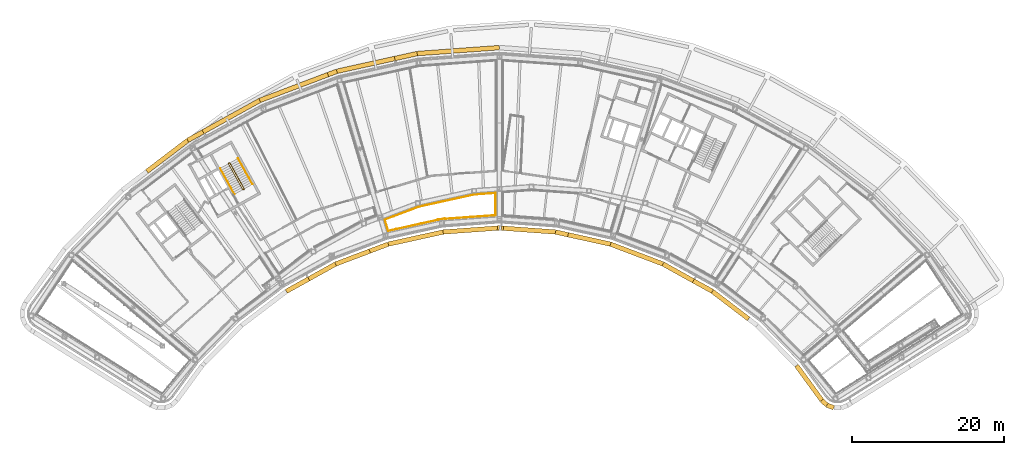
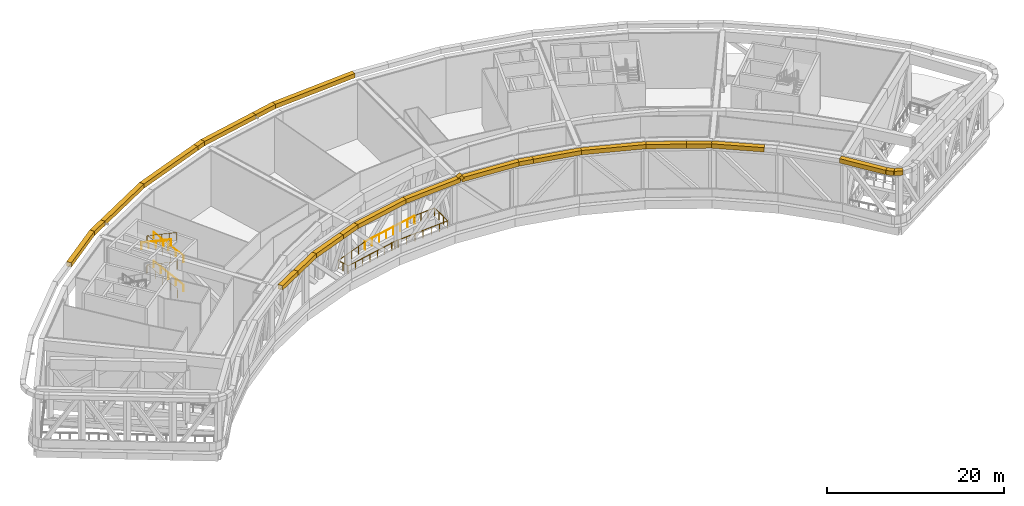
# One storey, part 21 of 24: 25 coverings, 9 railings.
"""IFC4 building model written with IfcOpenShell, lengths in metres."""

from ifc_helpers import new_model, si_unit, direction, frame, origin, origin_2d, place, context, subcontext, project, spatial, rectangle, circle, extrude, material, material_profile, profile_set, type_object, element, save


model = new_model("IFC4")

# Units and contexts
model_context = context("Model", 3, precision=1e-05, world=origin(), true_north=direction((0.0, 1.0)))
body_context = subcontext(model_context, "Body", "Model", "MODEL_VIEW")
ifc_project = project(units=[si_unit("LENGTHUNIT", "METRE"), si_unit("AREAUNIT", "SQUARE_METRE"), si_unit("VOLUMEUNIT", "CUBIC_METRE"), si_unit("PLANEANGLEUNIT", "RADIAN"), si_unit("MASSUNIT", "GRAM", prefix="KILO")], contexts=[model_context])

# Site, building, storey
site_placement = place(None, origin())
site = spatial("IfcSite", under=ifc_project, at=site_placement, CompositionType="ELEMENT")
building_placement = place(site_placement, origin())
building = spatial("IfcBuilding", under=site, at=building_placement, Name="Tuul Gate Civic Tower", CompositionType="ELEMENT")
storey_placement = place(building_placement, frame((0.0, 0.0, 277.800048828125)))
storey = spatial("IfcBuildingStorey", under=building, at=storey_placement, Name="Wind floor 2", CompositionType="ELEMENT", Elevation=277.800048828125)

# Railings
ifc_material_1 = material(Name="Painted steel", Category="steel")
railing_type_1 = type_object("IfcRailingType", Name="Slot guard", PredefinedType="GUARDRAIL", material=ifc_material_1)
railing_1_placement = place(storey_placement, frame((3.53125, -8.926025390625, 0.0)))
element("IfcRailing", 1, at=railing_1_placement, inside=storey, type_object=railing_type_1, Name="Guard", PredefinedType="GUARDRAIL", context=body_context, shape_type="SweptSolid", body=[
    extrude(circle(Radius=0.02392578125, at=origin_2d()), frame((0.0, 0.0, 1.076171875), z_axis=(-0.976563730298, -0.215228438332, 0.0), x_axis=(0.215228438332, -0.976563730298, 0.0)), (0.0, 0.0, 1.0), 7.51953125),
    extrude(circle(Radius=0.02099609375, at=origin_2d()), origin(), (0.0, 0.0, 1.0), 1.052001953125),
    extrude(circle(Radius=0.02099609375, at=origin_2d()), frame((-1.049072265625, -0.231201171875, 0.0)), (0.0, 0.0, 1.0), 1.052001953125),
    extrude(circle(Radius=0.02099609375, at=origin_2d()), frame((-2.09814453125, -0.46240234375, 0.0)), (0.0, 0.0, 1.0), 1.052001953125),
    extrude(circle(Radius=0.02099609375, at=origin_2d()), frame((-3.147216796875, -0.693603515625, 0.0)), (0.0, 0.0, 1.0), 1.052001953125),
    extrude(circle(Radius=0.02099609375, at=origin_2d()), frame((-4.196044921875, -0.9248046875, 0.0)), (0.0, 0.0, 1.0), 1.052001953125),
    extrude(circle(Radius=0.02099609375, at=origin_2d()), frame((-5.2451171875, -1.156005859375, 0.0)), (0.0, 0.0, 1.0), 1.052001953125),
    extrude(circle(Radius=0.02099609375, at=origin_2d()), frame((-6.294189453125, -1.38720703125, 0.0)), (0.0, 0.0, 1.0), 1.052001953125),
    extrude(circle(Radius=0.02099609375, at=origin_2d()), frame((-7.34326171875, -1.618408203125, 0.0)), (0.0, 0.0, 1.0), 1.052001953125),
])
railing_2_placement = place(storey_placement, frame((-3.81201171875, -10.54443359375, 0.0)))
element("IfcRailing", 2, at=railing_2_placement, inside=storey, type_object=railing_type_1, Name="Guard", PredefinedType="GUARDRAIL", context=body_context, shape_type="SweptSolid", body=[
    extrude(circle(Radius=0.02392578125, at=origin_2d()), frame((0.0, 0.0, 1.076171875), z_axis=(-0.935368315909, -0.353675152639, 0.0), x_axis=(0.353675152639, -0.935368315909, 0.0)), (0.0, 0.0, 1.0), 4.789306640625),
    extrude(circle(Radius=0.02392578125, at=origin_2d()), frame((-4.479736328125, -1.69384765625, 1.076171875), z_axis=(0.285186169519, -0.9584721429, 0.0), x_axis=(0.9584721429, 0.285186169519, 0.0)), (0.0, 0.0, 1.0), 1.54443359375),
    extrude(circle(Radius=0.02099609375, at=origin_2d()), origin(), (0.0, 0.0, 1.0), 1.052001953125),
    extrude(circle(Radius=0.02099609375, at=origin_2d()), frame((-1.119873046875, -0.42333984375, 0.0)), (0.0, 0.0, 1.0), 1.052001953125),
    extrude(circle(Radius=0.02099609375, at=origin_2d()), frame((-2.23974609375, -0.846923828125, 0.0)), (0.0, 0.0, 1.0), 1.052001953125),
    extrude(circle(Radius=0.02099609375, at=origin_2d()), frame((-3.35986328125, -1.2705078125, 0.0)), (0.0, 0.0, 1.0), 1.052001953125),
    extrude(circle(Radius=0.02099609375, at=origin_2d()), frame((-4.479736328125, -1.69384765625, 0.0)), (0.0, 0.0, 1.0), 1.052001953125),
    extrude(circle(Radius=0.02099609375, at=origin_2d()), frame((-4.259521484375, -2.43408203125, 0.0)), (0.0, 0.0, 1.0), 1.052001953125),
    extrude(circle(Radius=0.02099609375, at=origin_2d()), frame((-4.039306640625, -3.174072265625, 0.0)), (0.0, 0.0, 1.0), 1.052001953125),
])
railing_3_placement = place(storey_placement, frame((-7.851318359375, -13.718505859375, 0.0)))
element("IfcRailing", 3, at=railing_3_placement, inside=storey, type_object=railing_type_1, Name="Guard", PredefinedType="GUARDRAIL", context=body_context, shape_type="SweptSolid", body=[
    extrude(circle(Radius=0.02392578125, at=origin_2d()), frame((0.0, 0.0, 1.076171875), z_axis=(0.976567414071, 0.215211723137, 0.0), x_axis=(-0.215211723137, 0.976567414071, 0.0)), (0.0, 0.0, 1.0), 6.6943359375),
    extrude(circle(Radius=0.02392578125, at=origin_2d()), frame((6.537353515625, 1.440673828125, 1.076171875), z_axis=(-0.072274260578, 0.997384795983, 0.0), x_axis=(-0.997384795983, -0.072274260578, 0.0)), (0.0, 0.0, 1.0), 0.067626953125),
    extrude(circle(Radius=0.02392578125, at=origin_2d()), frame((6.532470703125, 1.508056640625, 1.076171875), z_axis=(0.997396879043, 0.072107320543, 0.0), x_axis=(-0.072107320543, 0.997396879043, 0.0)), (0.0, 0.0, 1.0), 0.4638671875),
    extrude(circle(Radius=0.02392578125, at=origin_2d()), frame((6.9951171875, 1.54150390625, 1.076171875), z_axis=(0.97654493923, 0.215313682019, 0.0), x_axis=(-0.215313682019, 0.97654493923, 0.0)), (0.0, 0.0, 1.0), 0.4638671875),
    extrude(circle(Radius=0.02392578125, at=origin_2d()), frame((7.447998046875, 1.641357421875, 1.076171875), z_axis=(0.213481055631, -0.976947203736, 0.0), x_axis=(0.976947203736, 0.213481055631, 0.0)), (0.0, 0.0, 1.0), 0.0673828125),
    extrude(circle(Radius=0.02099609375, at=origin_2d()), origin(), (0.0, 0.0, 1.0), 1.052001953125),
    extrude(circle(Radius=0.02099609375, at=origin_2d()), frame((1.089599609375, 0.240234375, 0.0)), (0.0, 0.0, 1.0), 1.052001953125),
    extrude(circle(Radius=0.02099609375, at=origin_2d()), frame((2.17919921875, 0.480224609375, 0.0)), (0.0, 0.0, 1.0), 1.052001953125),
    extrude(circle(Radius=0.02099609375, at=origin_2d()), frame((3.2685546875, 0.72021484375, 0.0)), (0.0, 0.0, 1.0), 1.052001953125),
    extrude(circle(Radius=0.02099609375, at=origin_2d()), frame((4.358154296875, 0.96044921875, 0.0)), (0.0, 0.0, 1.0), 1.052001953125),
    extrude(circle(Radius=0.02099609375, at=origin_2d()), frame((5.44775390625, 1.20068359375, 0.0)), (0.0, 0.0, 1.0), 1.052001953125),
    extrude(circle(Radius=0.02099609375, at=origin_2d()), frame((6.537353515625, 1.440673828125, 0.0)), (0.0, 0.0, 1.0), 1.052001953125),
    extrude(circle(Radius=0.02099609375, at=origin_2d()), frame((6.532470703125, 1.508056640625, 0.0)), (0.0, 0.0, 1.0), 1.052001953125),
    extrude(circle(Radius=0.02099609375, at=origin_2d()), frame((6.9951171875, 1.54150390625, 0.0)), (0.0, 0.0, 1.0), 1.052001953125),
    extrude(circle(Radius=0.02099609375, at=origin_2d()), frame((7.447998046875, 1.641357421875, 0.0)), (0.0, 0.0, 1.0), 1.052001953125),
    extrude(circle(Radius=0.02099609375, at=origin_2d()), frame((7.46240234375, 1.575439453125, 0.0)), (0.0, 0.0, 1.0), 1.052001953125),
])
railing_4_placement = place(storey_placement, frame((-0.388916015625, -12.14306640625, 0.0)))
element("IfcRailing", 4, at=railing_4_placement, inside=storey, type_object=railing_type_1, Name="Guard", PredefinedType="GUARDRAIL", context=body_context, shape_type="SweptSolid", body=[
    extrude(circle(Radius=0.02392578125, at=origin_2d()), frame((0.0, 0.0, 1.076171875), z_axis=(0.997381670907, 0.072317373703, 0.0), x_axis=(-0.072317373703, 0.997381670907, 0.0)), (0.0, 0.0, 1.0), 6.694580078125),
    extrude(circle(Radius=0.02392578125, at=origin_2d()), frame((6.677001953125, 0.484130859375, 1.076171875), z_axis=(0.0, 1.0, 0.0), x_axis=(-1.0, 0.0, 0.0)), (0.0, 0.0, 1.0), 2.932373046875),
    extrude(circle(Radius=0.02099609375, at=origin_2d()), origin(), (0.0, 0.0, 1.0), 1.052001953125),
    extrude(circle(Radius=0.02099609375, at=origin_2d()), frame((1.11279296875, 0.08056640625, 0.0)), (0.0, 0.0, 1.0), 1.052001953125),
    extrude(circle(Radius=0.02099609375, at=origin_2d()), frame((2.2255859375, 0.161376953125, 0.0)), (0.0, 0.0, 1.0), 1.052001953125),
    extrude(circle(Radius=0.02099609375, at=origin_2d()), frame((3.33837890625, 0.2421875, 0.0)), (0.0, 0.0, 1.0), 1.052001953125),
    extrude(circle(Radius=0.02099609375, at=origin_2d()), frame((4.451416015625, 0.32275390625, 0.0)), (0.0, 0.0, 1.0), 1.052001953125),
    extrude(circle(Radius=0.02099609375, at=origin_2d()), frame((5.564208984375, 0.4033203125, 0.0)), (0.0, 0.0, 1.0), 1.052001953125),
    extrude(circle(Radius=0.02099609375, at=origin_2d()), frame((6.677001953125, 0.484130859375, 0.0)), (0.0, 0.0, 1.0), 1.052001953125),
    extrude(circle(Radius=0.02099609375, at=origin_2d()), frame((6.677001953125, 1.461669921875, 0.0)), (0.0, 0.0, 1.0), 1.052001953125),
    extrude(circle(Radius=0.02099609375, at=origin_2d()), frame((6.677001953125, 2.43896484375, 0.0)), (0.0, 0.0, 1.0), 1.052001953125),
    extrude(circle(Radius=0.02099609375, at=origin_2d()), frame((6.677001953125, 3.41650390625, 0.0)), (0.0, 0.0, 1.0), 1.052001953125),
])
railing_5_placement = place(storey_placement, frame((6.2880859375, -8.7265625, 0.0)))
element("IfcRailing", 5, at=railing_5_placement, inside=storey, type_object=railing_type_1, Name="Guard", PredefinedType="GUARDRAIL", context=body_context, shape_type="SweptSolid", body=[
    extrude(circle(Radius=0.02392578125, at=origin_2d()), frame((0.0, 0.0, 1.076171875), z_axis=(-0.997392817914, -0.072163472568, 0.0), x_axis=(0.072163472568, -0.997392817914, 0.0)), (0.0, 0.0, 1.0), 2.76416015625),
    extrude(circle(Radius=0.02099609375, at=origin_2d()), origin(), (0.0, 0.0, 1.0), 1.052001953125),
    extrude(circle(Radius=0.02099609375, at=origin_2d()), frame((-0.9189453125, -0.06640625, 0.0)), (0.0, 0.0, 1.0), 1.052001953125),
    extrude(circle(Radius=0.02099609375, at=origin_2d()), frame((-1.837890625, -0.133056640625, 0.0)), (0.0, 0.0, 1.0), 1.052001953125),
    extrude(circle(Radius=0.02099609375, at=origin_2d()), frame((-2.7568359375, -0.199462890625, 0.0)), (0.0, 0.0, 1.0), 1.052001953125),
])
ifc_material_2 = material(Name="Painted steel", Category="steel")
railing_type_2 = type_object("IfcRailingType", Name="Stair guard", PredefinedType="GUARDRAIL", material=ifc_material_2)
railing_6_placement = place(storey_placement, frame((-26.857666015625, -8.247314453125, 0.0)))
element("IfcRailing", 6, at=railing_6_placement, inside=storey, type_object=railing_type_2, Name="Wind floor 2 ST-2 stair guard 1", PredefinedType="GUARDRAIL", context=body_context, shape_type="SweptSolid", body=[
    extrude(circle(Radius=0.02392578125, at=origin_2d()), frame((0.0, 0.0, 1.076171875), z_axis=(-0.874616555828, -0.48481530532, 0.0), x_axis=(0.48481530532, -0.874616555828, 0.0)), (0.0, 0.0, 1.0), 0.10009765625),
    extrude(circle(Radius=0.02392578125, at=origin_2d()), frame((-0.087646484375, -0.048583984375, 1.076171875), z_axis=(0.501893086122, 0.54658219653, 0.670336656121), x_axis=(-0.736576986774, 0.676353711126, 0.0)), (0.0, 0.0, 1.0), 0.213134765625),
    extrude(circle(Radius=0.02392578125, at=origin_2d()), frame((0.019287109375, 0.06787109375, 1.21875), z_axis=(-0.437634173363, 0.789697103219, 0.429947456641), x_axis=(-0.874667644053, -0.484723129681, 0.0)), (0.0, 0.0, 1.0), 4.319580078125),
    extrude(circle(Radius=0.02392578125, at=origin_2d()), frame((-1.87109375, 3.47900390625, 3.076171875), z_axis=(-0.961263487578, 0.275631107549, 0.0), x_axis=(-0.275631107549, -0.961263487578, 0.0)), (0.0, 0.0, 1.0), 0.07080078125),
    extrude(circle(Radius=0.02392578125, at=origin_2d()), frame((-1.939208984375, 3.49853515625, 3.076171875), z_axis=(-0.874042088414, -0.485850211157, 0.0), x_axis=(0.485850211157, -0.874042088414, 0.0)), (0.0, 0.0, 1.0), 0.10009765625),
    extrude(circle(Radius=0.02392578125, at=origin_2d()), frame((-2.026611328125, 3.449951171875, 3.076171875), z_axis=(-0.122583376132, -0.425977232058, 0.896390937964), x_axis=(0.961000426733, -0.276546885391, 0.0)), (0.0, 0.0, 1.0), 0.159423828125),
    extrude(circle(Radius=0.02392578125, at=origin_2d()), frame((-2.046142578125, 3.382080078125, 3.21875), z_axis=(0.43767986673, -0.789677569467, 0.429936821567), x_axis=(0.874641102302, 0.484771020343, 0.0)), (0.0, 0.0, 1.0), 4.319580078125),
    extrude(circle(Radius=0.02392578125, at=origin_2d()), frame((-0.155517578125, -0.029052734375, 5.076171875), z_axis=(0.98299425886, 0.183636290117, 0.0), x_axis=(-0.183636290117, 0.98299425886, 0.0)), (0.0, 0.0, 1.0), 0.158203125),
    extrude(circle(Radius=0.02392578125, at=origin_2d()), frame((0.0, 0.0, 5.076171875), z_axis=(-0.874616555828, -0.48481530532, 0.0), x_axis=(0.48481530532, -0.874616555828, 0.0)), (0.0, 0.0, 1.0), 0.10009765625),
    extrude(circle(Radius=0.02392578125, at=origin_2d()), frame((-0.087646484375, -0.048583984375, 5.076171875), z_axis=(0.501893086122, 0.54658219653, 0.670336656121), x_axis=(-0.736576986774, 0.676353711126, 0.0)), (0.0, 0.0, 1.0), 0.213134765625),
    extrude(circle(Radius=0.02392578125, at=origin_2d()), frame((0.019287109375, 0.06787109375, 5.21875), z_axis=(-0.437634173363, 0.789697103219, 0.429947456641), x_axis=(-0.874667644053, -0.484723129681, 0.0)), (0.0, 0.0, 1.0), 4.319580078125),
    extrude(circle(Radius=0.02392578125, at=origin_2d()), frame((-1.87109375, 3.47900390625, 7.076171875), z_axis=(-0.961263487578, 0.275631107549, 0.0), x_axis=(-0.275631107549, -0.961263487578, 0.0)), (0.0, 0.0, 1.0), 0.07080078125),
    extrude(circle(Radius=0.02392578125, at=origin_2d()), frame((-1.939208984375, 3.49853515625, 7.076171875), z_axis=(-0.874042088414, -0.485850211157, 0.0), x_axis=(0.485850211157, -0.874042088414, 0.0)), (0.0, 0.0, 1.0), 0.10009765625),
    extrude(circle(Radius=0.02392578125, at=origin_2d()), frame((-2.026611328125, 3.449951171875, 7.076171875), z_axis=(-0.122583376132, -0.425977232058, 0.896390937964), x_axis=(0.961000426733, -0.276546885391, 0.0)), (0.0, 0.0, 1.0), 0.159423828125),
    extrude(circle(Radius=0.02392578125, at=origin_2d()), frame((-2.046142578125, 3.382080078125, 7.21875), z_axis=(0.43767986673, -0.789677569467, 0.429936821567), x_axis=(0.874641102302, 0.484771020343, 0.0)), (0.0, 0.0, 1.0), 4.319580078125),
    extrude(circle(Radius=0.02099609375, at=origin_2d()), origin(), (0.0, 0.0, 1.0), 1.052001953125),
    extrude(circle(Radius=0.02099609375, at=origin_2d()), frame((-0.087646484375, -0.048583984375, 0.0)), (0.0, 0.0, 1.0), 1.052001953125),
    extrude(circle(Radius=0.02099609375, at=origin_2d()), frame((0.019287109375, 0.06787109375, 0.142822265625)), (0.0, 0.0, 1.0), 1.052001953125),
    extrude(circle(Radius=0.02099609375, at=origin_2d()), frame((-0.453369140625, 0.920654296875, 0.607177734375)), (0.0, 0.0, 1.0), 1.052001953125),
    extrude(circle(Radius=0.02099609375, at=origin_2d()), frame((-0.92578125, 1.7734375, 1.0712890625)), (0.0, 0.0, 1.0), 1.052001953125),
    extrude(circle(Radius=0.02099609375, at=origin_2d()), frame((-1.3984375, 2.626220703125, 1.53564453125)), (0.0, 0.0, 1.0), 1.052001953125),
    extrude(circle(Radius=0.02099609375, at=origin_2d()), frame((-1.87109375, 3.47900390625, 2.0)), (0.0, 0.0, 1.0), 1.052001953125),
    extrude(circle(Radius=0.02099609375, at=origin_2d()), frame((-1.939208984375, 3.49853515625, 2.0)), (0.0, 0.0, 1.0), 1.052001953125),
    extrude(circle(Radius=0.02099609375, at=origin_2d()), frame((-2.026611328125, 3.449951171875, 2.0)), (0.0, 0.0, 1.0), 1.052001953125),
    extrude(circle(Radius=0.02099609375, at=origin_2d()), frame((-2.046142578125, 3.382080078125, 2.142822265625)), (0.0, 0.0, 1.0), 1.052001953125),
    extrude(circle(Radius=0.02099609375, at=origin_2d()), frame((-1.573486328125, 2.529296875, 2.607177734375)), (0.0, 0.0, 1.0), 1.052001953125),
    extrude(circle(Radius=0.02099609375, at=origin_2d()), frame((-1.100830078125, 1.676513671875, 3.0712890625)), (0.0, 0.0, 1.0), 1.052001953125),
    extrude(circle(Radius=0.02099609375, at=origin_2d()), frame((-0.628173828125, 0.82373046875, 3.53564453125)), (0.0, 0.0, 1.0), 1.052001953125),
    extrude(circle(Radius=0.02099609375, at=origin_2d()), frame((-0.155517578125, -0.029052734375, 4.0)), (0.0, 0.0, 1.0), 1.052001953125),
    extrude(circle(Radius=0.02099609375, at=origin_2d()), frame((0.0, 0.0, 4.0)), (0.0, 0.0, 1.0), 1.052001953125),
    extrude(circle(Radius=0.02099609375, at=origin_2d()), frame((-0.087646484375, -0.048583984375, 4.0)), (0.0, 0.0, 1.0), 1.052001953125),
    extrude(circle(Radius=0.02099609375, at=origin_2d()), frame((0.019287109375, 0.06787109375, 4.142822265625)), (0.0, 0.0, 1.0), 1.052001953125),
    extrude(circle(Radius=0.02099609375, at=origin_2d()), frame((-0.453369140625, 0.920654296875, 4.607177734375)), (0.0, 0.0, 1.0), 1.052001953125),
    extrude(circle(Radius=0.02099609375, at=origin_2d()), frame((-0.92578125, 1.7734375, 5.0712890625)), (0.0, 0.0, 1.0), 1.052001953125),
    extrude(circle(Radius=0.02099609375, at=origin_2d()), frame((-1.3984375, 2.626220703125, 5.53564453125)), (0.0, 0.0, 1.0), 1.052001953125),
    extrude(circle(Radius=0.02099609375, at=origin_2d()), frame((-1.87109375, 3.47900390625, 6.0)), (0.0, 0.0, 1.0), 1.052001953125),
    extrude(circle(Radius=0.02099609375, at=origin_2d()), frame((-1.939208984375, 3.49853515625, 6.0)), (0.0, 0.0, 1.0), 1.052001953125),
    extrude(circle(Radius=0.02099609375, at=origin_2d()), frame((-2.026611328125, 3.449951171875, 6.0)), (0.0, 0.0, 1.0), 1.052001953125),
    extrude(circle(Radius=0.02099609375, at=origin_2d()), frame((-2.046142578125, 3.382080078125, 6.142822265625)), (0.0, 0.0, 1.0), 1.052001953125),
    extrude(circle(Radius=0.02099609375, at=origin_2d()), frame((-1.573486328125, 2.529296875, 6.607177734375)), (0.0, 0.0, 1.0), 1.052001953125),
    extrude(circle(Radius=0.02099609375, at=origin_2d()), frame((-1.100830078125, 1.676513671875, 7.0712890625)), (0.0, 0.0, 1.0), 1.052001953125),
    extrude(circle(Radius=0.02099609375, at=origin_2d()), frame((-0.628173828125, 0.82373046875, 7.53564453125)), (0.0, 0.0, 1.0), 1.052001953125),
    extrude(circle(Radius=0.02099609375, at=origin_2d()), frame((-0.155517578125, -0.029052734375, 8.0)), (0.0, 0.0, 1.0), 1.052001953125),
])
ifc_material_3 = material(Name="Painted steel", Category="steel")
railing_type_3 = type_object("IfcRailingType", Name="Stair handrail", PredefinedType="HANDRAIL", material=ifc_material_3)
for number, where, name in (
    (7, (-25.744873046875, -7.573486328125, 0.142822265625), "Wind floor 2 ST-2 stair handrail 1"),
    (8, (-25.744873046875, -7.573486328125, 4.142822265625), "Wind floor 2 ST-2 stair handrail 3"),
):
    element("IfcRailing", number, at=place(storey_placement, frame(where)), inside=storey, type_object=railing_type_3, Name=name, PredefinedType="HANDRAIL", context=body_context, shape_type="SweptSolid", body=[
        extrude(circle(Radius=0.02392578125, at=origin_2d()), frame((0.0, 0.0, 0.8759765625), z_axis=(-0.43767986673, 0.789677569467, 0.429936821567), x_axis=(-0.874641102302, -0.484771020343, 0.0)), (0.0, 0.0, 1.0), 4.319580078125),
        extrude(circle(Radius=0.02099609375, at=origin_2d()), origin(), (0.0, 0.0, 1.0), 0.851806640625),
        extrude(circle(Radius=0.02099609375, at=origin_2d()), frame((-0.47265625, 0.852783203125, 0.46435546875)), (0.0, 0.0, 1.0), 0.851806640625),
        extrude(circle(Radius=0.02099609375, at=origin_2d()), frame((-0.9453125, 1.70556640625, 0.9287109375)), (0.0, 0.0, 1.0), 0.851806640625),
        extrude(circle(Radius=0.02099609375, at=origin_2d()), frame((-1.41796875, 2.558349609375, 1.392822265625)), (0.0, 0.0, 1.0), 0.851806640625),
        extrude(circle(Radius=0.02099609375, at=origin_2d()), frame((-1.890625, 3.4111328125, 1.857177734375)), (0.0, 0.0, 1.0), 0.851806640625),
    ])
railing_7_placement = place(storey_placement, frame((-29.9970703125, -5.47119140625, 6.142822265625)))
element("IfcRailing", 9, at=railing_7_placement, inside=storey, type_object=railing_type_3, Name="Wind floor 2 ST-2 stair handrail 4", PredefinedType="HANDRAIL", context=body_context, shape_type="SweptSolid", body=[
    extrude(circle(Radius=0.02392578125, at=origin_2d()), frame((0.0, 0.0, 0.8759765625), z_axis=(0.43767986673, -0.789677569467, 0.429936821567), x_axis=(0.874641102302, 0.484771020343, 0.0)), (0.0, 0.0, 1.0), 4.319580078125),
    extrude(circle(Radius=0.02099609375, at=origin_2d()), origin(), (0.0, 0.0, 1.0), 0.851806640625),
    extrude(circle(Radius=0.02099609375, at=origin_2d()), frame((0.47265625, -0.852783203125, 0.46435546875)), (0.0, 0.0, 1.0), 0.851806640625),
    extrude(circle(Radius=0.02099609375, at=origin_2d()), frame((0.9453125, -1.70556640625, 0.9287109375)), (0.0, 0.0, 1.0), 0.851806640625),
    extrude(circle(Radius=0.02099609375, at=origin_2d()), frame((1.41796875, -2.558349609375, 1.392822265625)), (0.0, 0.0, 1.0), 0.851806640625),
    extrude(circle(Radius=0.02099609375, at=origin_2d()), frame((1.890625, -3.4111328125, 1.857177734375)), (0.0, 0.0, 1.0), 0.851806640625),
])

# Coverings
ifc_material_4 = material(Name="Terracotta baguette", Category="masonry")
ifc_material_profile = material_profile(ifc_material_4, rectangle(XDim=0.60009765625, YDim=0.60009765625, at=origin_2d()), Name="Terracotta baguette screen frame")
ifc_profile_set = profile_set([ifc_material_profile], Name="Terracotta baguette")
covering_type = type_object("IfcCoveringType", Name="Terracotta baguette screen frame", PredefinedType="CLADDING", material=ifc_profile_set)
covering_1_placement = place(storey_placement, frame((-6.990478515625, 8.999755859375, 7.64990234375), z_axis=(-0.976562944913, -0.215232001854, 0.0), x_axis=(0.215232001854, -0.976562944913, 0.0)))
element("IfcCovering", 10, at=covering_1_placement, inside=storey, type_object=covering_type, Name="Baguette 87", PredefinedType="CLADDING", context=body_context, shape_type="SweptSolid", body=[
    extrude(rectangle(XDim=0.60009765625, YDim=0.60009765625, at=origin_2d()), origin(), (0.0, 0.0, 1.0), 7.824462890625),
])
covering_2_placement = place(storey_placement, frame((-14.631591796875, 7.315673828125, 7.64990234375), z_axis=(-0.935352745891, -0.353716328084, 0.0), x_axis=(0.353716328084, -0.935352745891, 0.0)))
element("IfcCovering", 11, at=covering_2_placement, inside=storey, type_object=covering_type, Name="Baguette 88", PredefinedType="CLADDING", context=body_context, shape_type="SweptSolid", body=[
    extrude(rectangle(XDim=0.60009765625, YDim=0.60009765625, at=origin_2d()), origin(), (0.0, 0.0, 1.0), 1.247802734375),
])
covering_3_placement = place(storey_placement, frame((-32.251953125, -0.663818359375, 7.64990234375), z_axis=(-0.874660372836, -0.48473625013, 0.0), x_axis=(0.48473625013, -0.874660372836, 0.0)))
element("IfcCovering", 12, at=covering_3_placement, inside=storey, type_object=covering_type, Name="Baguette 105", PredefinedType="CLADDING", context=body_context, shape_type="SweptSolid", body=[
    extrude(rectangle(XDim=0.60009765625, YDim=0.60009765625, at=origin_2d()), origin(), (0.0, 0.0, 1.0), 2.309814453125),
])
covering_4_placement = place(storey_placement, frame((-34.272216796875, -1.783447265625, 7.64990234375), z_axis=(-0.795603234686, -0.605818036177, 0.0), x_axis=(0.605818036177, -0.795603234686, 0.0)))
element("IfcCovering", 13, at=covering_4_placement, inside=storey, type_object=covering_type, Name="Baguette 106", PredefinedType="CLADDING", context=body_context, shape_type="SweptSolid", body=[
    extrude(rectangle(XDim=0.60009765625, YDim=0.60009765625, at=origin_2d()), origin(), (0.0, 0.0, 1.0), 6.7626953125),
])
covering_5_placement = place(storey_placement, frame((-18.325927734375, -20.041748046875, 7.64990234375), z_axis=(0.874604491332, 0.484837069274, 0.0), x_axis=(-0.484837069274, 0.874604491332, 0.0)))
element("IfcCovering", 14, at=covering_5_placement, inside=storey, type_object=covering_type, Name="Baguette 194", PredefinedType="CLADDING", context=body_context, shape_type="SweptSolid", body=[
    extrude(rectangle(XDim=0.60009765625, YDim=0.60009765625, at=origin_2d()), origin(), (0.0, 0.0, 1.0), 4.03955078125),
])
covering_6_placement = place(storey_placement, frame((-14.79296875, -18.083251953125, 7.64990234375), z_axis=(0.935362476844, 0.353690594889, 0.0), x_axis=(-0.353690594889, 0.935362476844, 0.0)))
element("IfcCovering", 15, at=covering_6_placement, inside=storey, type_object=covering_type, Name="Baguette 195", PredefinedType="CLADDING", context=body_context, shape_type="SweptSolid", body=[
    extrude(rectangle(XDim=0.60009765625, YDim=0.60009765625, at=origin_2d()), origin(), (0.0, 0.0, 1.0), 4.8125),
])
covering_7_placement = place(storey_placement, frame((6.7880859375, -13.326904296875, 8.1484375), z_axis=(0.464891021363, -0.033794501087, -0.884722707944), x_axis=(0.072502073076, 0.997368261677, 0.0)))
element("IfcCovering", 16, at=covering_7_placement, inside=storey, type_object=covering_type, Name="Baguette 213", PredefinedType="CLADDING", context=body_context, shape_type="SweptSolid", body=[
    extrude(rectangle(XDim=0.60009765625, YDim=0.60009765625, at=origin_2d()), origin(), (0.0, 0.0, 1.0), 0.5634765625),
])
covering_8_placement = place(storey_placement, frame((7.050048828125, -13.345947265625, 7.64990234375), z_axis=(0.997385259367, -0.072267865599, 0.0), x_axis=(0.072267865599, 0.997385259367, 0.0)))
element("IfcCovering", 17, at=covering_8_placement, inside=storey, type_object=covering_type, Name="Baguette 220", PredefinedType="CLADDING", context=body_context, shape_type="SweptSolid", body=[
    extrude(rectangle(XDim=0.60009765625, YDim=0.60009765625, at=origin_2d()), origin(), (0.0, 0.0, 1.0), 7.1552734375),
])
covering_9_placement = place(storey_placement, frame((14.1865234375, -13.863037109375, 7.64990234375), z_axis=(0.976558033937, -0.215254283007, 0.0), x_axis=(0.215254283007, 0.976558033937, 0.0)))
element("IfcCovering", 18, at=covering_9_placement, inside=storey, type_object=covering_type, Name="Baguette 221", PredefinedType="CLADDING", context=body_context, shape_type="SweptSolid", body=[
    extrude(rectangle(XDim=0.60009765625, YDim=0.60009765625, at=origin_2d()), origin(), (0.0, 0.0, 1.0), 1.69677734375),
])
covering_10_placement = place(storey_placement, frame((32.361572265625, -20.29638671875, 7.64990234375), z_axis=(0.874604932638, -0.484836273195, 0.0), x_axis=(0.484836273195, 0.874604932638, 0.0)))
element("IfcCovering", 19, at=covering_10_placement, inside=storey, type_object=covering_type, Name="Baguette 240", PredefinedType="CLADDING", context=body_context, shape_type="SweptSolid", body=[
    extrude(rectangle(XDim=0.60009765625, YDim=0.60009765625, at=origin_2d()), origin(), (0.0, 0.0, 1.0), 2.85302734375),
])
covering_11_placement = place(storey_placement, frame((34.85693359375, -21.6796875, 7.64990234375), z_axis=(0.795563429455, -0.605870307668, 0.0), x_axis=(0.605870307668, 0.795563429455, 0.0)))
element("IfcCovering", 20, at=covering_11_placement, inside=storey, type_object=covering_type, Name="Baguette 241", PredefinedType="CLADDING", context=body_context, shape_type="SweptSolid", body=[
    extrude(rectangle(XDim=0.60009765625, YDim=0.60009765625, at=origin_2d()), origin(), (0.0, 0.0, 1.0), 5.998779296875),
])
covering_12_placement = place(storey_placement, frame((6.7880859375, 10.43505859375, 7.64990234375), z_axis=(-0.997386817082, -0.072246363998, 0.0), x_axis=(0.072246363998, -0.997386817082, 0.0)))
element("IfcCovering", 21, at=covering_12_placement, inside=storey, type_object=covering_type, Name="Baguette 378", PredefinedType="CLADDING", context=body_context, shape_type="SweptSolid", body=[
    extrude(rectangle(XDim=0.60009765625, YDim=0.60009765625, at=origin_2d()), origin(), (0.0, 0.0, 1.0), 10.850830078125),
])
covering_13_placement = place(storey_placement, frame((-4.034423828125, 9.651123046875, 7.64990234375), z_axis=(-0.976572650376, -0.215187960952, 0.0), x_axis=(0.215187960952, -0.976572650376, 0.0)))
element("IfcCovering", 22, at=covering_13_placement, inside=storey, type_object=covering_type, Name="Baguette 379", PredefinedType="CLADDING", context=body_context, shape_type="SweptSolid", body=[
    extrude(rectangle(XDim=0.60009765625, YDim=0.60009765625, at=origin_2d()), origin(), (0.0, 0.0, 1.0), 3.02685546875),
])
covering_14_placement = place(storey_placement, frame((-15.798828125, 6.874267578125, 7.64990234375), z_axis=(-0.935344466334, -0.353738221428, 0.0), x_axis=(0.353738221428, -0.935344466334, 0.0)))
element("IfcCovering", 23, at=covering_14_placement, inside=storey, type_object=covering_type, Name="Baguette 380", PredefinedType="CLADDING", context=body_context, shape_type="SweptSolid", body=[
    extrude(rectangle(XDim=0.60009765625, YDim=0.60009765625, at=origin_2d()), origin(), (0.0, 0.0, 1.0), 9.60302734375),
])
covering_15_placement = place(storey_placement, frame((-24.781005859375, 3.477294921875, 7.64990234375), z_axis=(-0.874624691551, -0.484800628021, 0.0), x_axis=(0.484800628021, -0.874624691551, 0.0)))
element("IfcCovering", 24, at=covering_15_placement, inside=storey, type_object=covering_type, Name="Baguette 381", PredefinedType="CLADDING", context=body_context, shape_type="SweptSolid", body=[
    extrude(rectangle(XDim=0.60009765625, YDim=0.60009765625, at=origin_2d()), origin(), (0.0, 0.0, 1.0), 8.5419921875),
])
covering_16_placement = place(storey_placement, frame((-21.281005859375, -21.6796875, 7.64990234375), z_axis=(0.874630637943, 0.48478990003, 0.0), x_axis=(-0.48478990003, 0.874630637943, 0.0)))
element("IfcCovering", 25, at=covering_16_placement, inside=storey, type_object=covering_type, Name="Baguette 388", PredefinedType="CLADDING", context=body_context, shape_type="SweptSolid", body=[
    extrude(rectangle(XDim=0.60009765625, YDim=0.60009765625, at=origin_2d()), origin(), (0.0, 0.0, 1.0), 3.378662109375),
])
covering_17_placement = place(storey_placement, frame((-10.29150390625, -16.381103515625, 7.64990234375), z_axis=(0.935378435314, 0.353648388587, 0.0), x_axis=(-0.353648388587, 0.935378435314, 0.0)))
element("IfcCovering", 26, at=covering_17_placement, inside=storey, type_object=covering_type, Name="Baguette 389", PredefinedType="CLADDING", context=body_context, shape_type="SweptSolid", body=[
    extrude(rectangle(XDim=0.60009765625, YDim=0.60009765625, at=origin_2d()), origin(), (0.0, 0.0, 1.0), 2.60546875),
])
covering_18_placement = place(storey_placement, frame((-7.8544921875, -15.459716796875, 7.64990234375), z_axis=(0.976558886135, 0.215250416748, 0.0), x_axis=(-0.215250416748, 0.976558886135, 0.0)))
element("IfcCovering", 27, at=covering_18_placement, inside=storey, type_object=covering_type, Name="Baguette 390", PredefinedType="CLADDING", context=body_context, shape_type="SweptSolid", body=[
    extrude(rectangle(XDim=0.60009765625, YDim=0.60009765625, at=origin_2d()), origin(), (0.0, 0.0, 1.0), 7.417724609375),
])
covering_19_placement = place(storey_placement, frame((-0.610595703125, -13.863037109375, 7.64990234375), z_axis=(0.997384830366, 0.072273786091, 0.0), x_axis=(-0.072273786091, 0.997384830366, 0.0)))
element("IfcCovering", 28, at=covering_19_placement, inside=storey, type_object=covering_type, Name="Baguette 391", PredefinedType="CLADDING", context=body_context, shape_type="SweptSolid", body=[
    extrude(rectangle(XDim=0.60009765625, YDim=0.60009765625, at=origin_2d()), origin(), (0.0, 0.0, 1.0), 7.41796875),
])
covering_20_placement = place(storey_placement, frame((15.843505859375, -14.228271484375, 7.64990234375), z_axis=(0.97655913888, -0.21524927008, 0.0), x_axis=(0.21524927008, 0.97655913888, 0.0)))
element("IfcCovering", 29, at=covering_20_placement, inside=storey, type_object=covering_type, Name="Baguette 393", PredefinedType="CLADDING", context=body_context, shape_type="SweptSolid", body=[
    extrude(rectangle(XDim=0.60009765625, YDim=0.60009765625, at=origin_2d()), origin(), (0.0, 0.0, 1.0), 5.720947265625),
])
covering_21_placement = place(storey_placement, frame((21.430419921875, -15.459716796875, 7.64990234375), z_axis=(0.935368082117, -0.353675770951, 0.0), x_axis=(0.353675770951, 0.935368082117, 0.0)))
element("IfcCovering", 30, at=covering_21_placement, inside=storey, type_object=covering_type, Name="Baguette 394", PredefinedType="CLADDING", context=body_context, shape_type="SweptSolid", body=[
    extrude(rectangle(XDim=0.60009765625, YDim=0.60009765625, at=origin_2d()), origin(), (0.0, 0.0, 1.0), 7.41796875),
])
covering_22_placement = place(storey_placement, frame((28.368896484375, -18.083251953125, 7.64990234375), z_axis=(0.874623567378, -0.484802656126, 0.0), x_axis=(0.484802656126, 0.874623567378, 0.0)))
element("IfcCovering", 31, at=covering_22_placement, inside=storey, type_object=covering_type, Name="Baguette 395", PredefinedType="CLADDING", context=body_context, shape_type="SweptSolid", body=[
    extrude(rectangle(XDim=0.60009765625, YDim=0.60009765625, at=origin_2d()), origin(), (0.0, 0.0, 1.0), 4.56494140625),
])
covering_23_placement = place(storey_placement, frame((45.951416015625, -31.47119140625, 7.64990234375), z_axis=(0.589834173265, -0.807524394708, 0.0), x_axis=(0.807524394708, 0.589834173265, 0.0)))
element("IfcCovering", 32, at=covering_23_placement, inside=storey, type_object=covering_type, Name="Baguette 398", PredefinedType="CLADDING", context=body_context, shape_type="SweptSolid", body=[
    extrude(rectangle(XDim=0.60009765625, YDim=0.60009765625, at=origin_2d()), origin(), (0.0, 0.0, 1.0), 5.67138671875),
])
covering_24_placement = place(storey_placement, frame((49.296630859375, -36.051025390625, 7.64990234375), z_axis=(0.729359813371, -0.684130296537, 0.0), x_axis=(0.684130296537, 0.729359813371, 0.0)))
element("IfcCovering", 33, at=covering_24_placement, inside=storey, type_object=covering_type, Name="Baguette 399", PredefinedType="CLADDING", context=body_context, shape_type="SweptSolid", body=[
    extrude(rectangle(XDim=0.60009765625, YDim=0.60009765625, at=origin_2d()), origin(), (0.0, 0.0, 1.0), 0.9013671875),
])
covering_25_placement = place(storey_placement, frame((49.9541015625, -36.667724609375, 7.64990234375), z_axis=(0.929681500465, -0.368364368109, 0.0), x_axis=(0.368364368109, 0.929681500465, 0.0)))
element("IfcCovering", 34, at=covering_25_placement, inside=storey, type_object=covering_type, Name="Baguette 400", PredefinedType="CLADDING", context=body_context, shape_type="SweptSolid", body=[
    extrude(rectangle(XDim=0.60009765625, YDim=0.60009765625, at=origin_2d()), origin(), (0.0, 0.0, 1.0), 0.974365234375),
])

save(model, "model.ifc")
